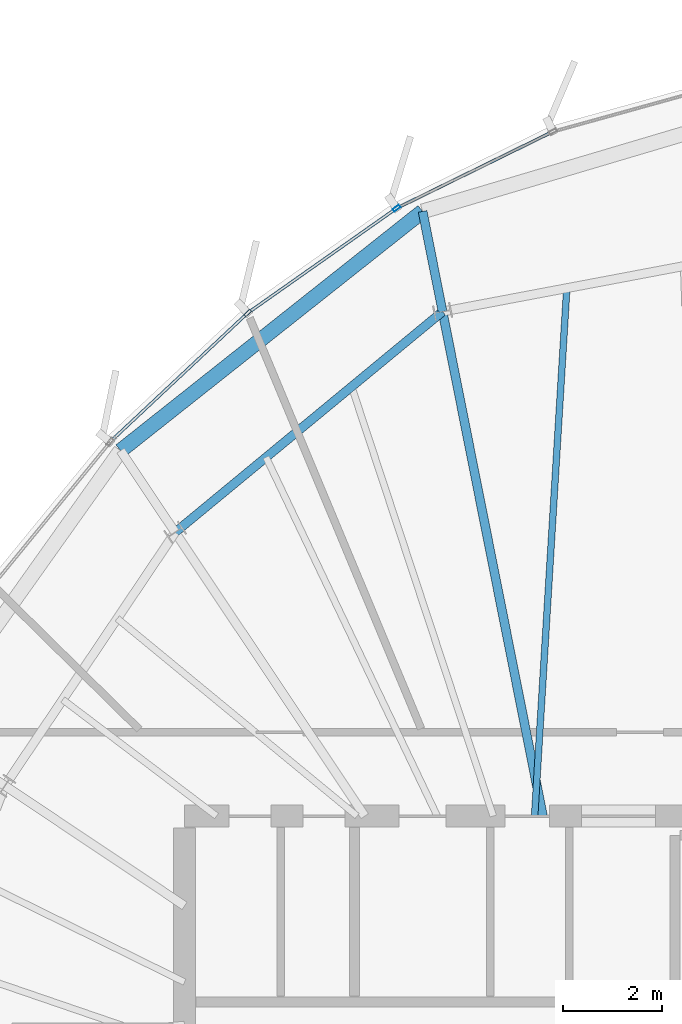
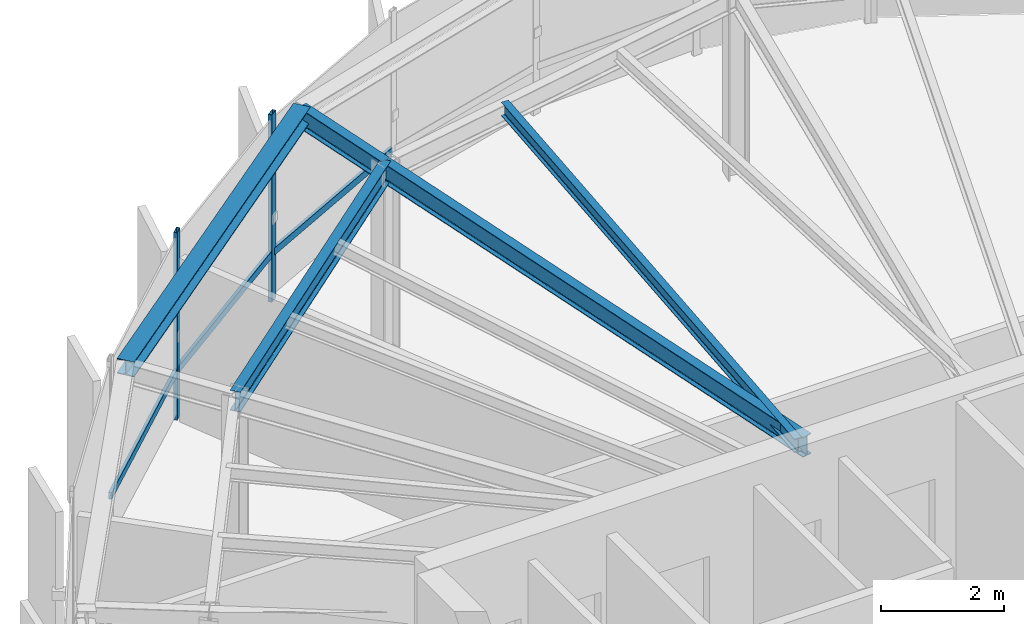
# One storey, part 15 of 26: 5 beams, 5 members, 1 element without a shape of its own.
"""IFC4 building model written with IfcOpenShell, lengths in metres."""

import ifcopenshell
import ifcopenshell.guid

model = None  # the IFC model being written
_history = None  # IfcOwnerHistory: only IFC2X3 demands one
_inside = {}  # id of a spatial element -> (the spatial element, [elements in it])
_under = {}  # id of a project, library or spatial element -> (it, [spatial elements below it])
_declared = {}  # id of a project -> (the project, [libraries it declares])
_typed = {}  # id of a type object -> (the type object, [elements of that type])
_made_of = {}  # id of a material, layer set ... -> (it, [elements and type objects made of it])


def new_model(schema):
    """Start an empty IFC model of exactly this schema.

    Asked for "IFC4X3", IfcOpenShell would pick the latest addendum, in which some entities
    have other attributes; the version numbers below select the first issue.
    IFC2X3 requires an IfcOwnerHistory on every rooted entity: one is made here for all.
    """
    global model, _history
    if schema == "IFC4X3":
        model = ifcopenshell.file(schema_version=(4, 3, 0, 0))
    else:
        model = ifcopenshell.file(schema=schema)
    _inside.clear()
    _under.clear()
    _declared.clear()
    _typed.clear()
    _made_of.clear()
    _history = None
    if model.schema == "IFC2X3":
        org = make("IfcOrganization", Name="unknown")
        user = make(
            "IfcPersonAndOrganization",
            ThePerson=make("IfcPerson", FamilyName="unknown"),
            TheOrganization=org,
        )
        app = make(
            "IfcApplication",
            ApplicationDeveloper=org,
            Version="unknown",
            ApplicationFullName="unknown",
            ApplicationIdentifier="unknown",
        )
        _history = make(
            "IfcOwnerHistory",
            OwningUser=user,
            OwningApplication=app,
            ChangeAction="ADDED",
            CreationDate=0,
        )
    return model


def make(cls, **values):
    """One entity of the class cls with the attributes given. An attribute that is None is left unset."""
    return model.create_entity(
        cls, **{name: value for name, value in values.items() if value is not None}
    )


def rooted(cls, **values):
    """An entity with a GlobalId (a new one), such as an element, a storey or a relation."""
    return make(cls, GlobalId=ifcopenshell.guid.new(), OwnerHistory=_history, **values)


def si_unit(unit_type, name, prefix=None):
    """IfcSIUnit, for example si_unit("LENGTHUNIT", "METRE", prefix="MILLI")."""
    return make("IfcSIUnit", UnitType=unit_type, Prefix=prefix, Name=name)


def assignment(units):
    """IfcUnitAssignment: the units of a project."""
    return None if units is None else make("IfcUnitAssignment", Units=units)


def point(xyz):
    """IfcCartesianPoint."""
    return None if xyz is None else make("IfcCartesianPoint", Coordinates=xyz)


def direction(xyz):
    """IfcDirection."""
    return None if xyz is None else make("IfcDirection", DirectionRatios=xyz)


def frame(location, z_axis=None, x_axis=None):
    """IfcAxis2Placement3D, a coordinate frame: its origin and axes. An axis left out is left unset."""
    return make(
        "IfcAxis2Placement3D",
        Location=point(location),
        Axis=direction(z_axis),
        RefDirection=direction(x_axis),
    )


def frame_2d(location, x_axis=None):
    """IfcAxis2Placement2D, a coordinate frame in the plane: its origin and x axis."""
    return make(
        "IfcAxis2Placement2D", Location=point(location), RefDirection=direction(x_axis)
    )


def origin():
    """The frame at (0, 0, 0) with its axes left unset."""
    return frame((0.0, 0.0, 0.0))


def origin_2d():
    """The frame at (0, 0) in the plane with its x axis left unset."""
    return frame_2d((0.0, 0.0))


def place(relative_to, where):
    """IfcLocalPlacement: puts the frame where relative to a parent placement (None: the world)."""
    return make(
        "IfcLocalPlacement", PlacementRelTo=relative_to, RelativePlacement=where
    )


def context(
    kind, dimensions, precision=None, world=None, true_north=None, identifier=None
):
    """IfcGeometricRepresentationContext, for example the 3D "Model" context."""
    return make(
        "IfcGeometricRepresentationContext",
        ContextIdentifier=identifier,
        ContextType=kind,
        CoordinateSpaceDimension=dimensions,
        Precision=precision,
        WorldCoordinateSystem=world,
        TrueNorth=true_north,
    )


def subcontext(parent, identifier, kind, view, scale=None):
    """IfcGeometricRepresentationSubContext, for example "Body" below "Model"."""
    return make(
        "IfcGeometricRepresentationSubContext",
        ContextIdentifier=identifier,
        ContextType=kind,
        ParentContext=parent,
        TargetScale=scale,
        TargetView=view,
    )


def project(units=None, contexts=None):
    """IfcProject with its units and contexts."""
    return rooted(
        "IfcProject",
        Name="project",
        RepresentationContexts=contexts,
        UnitsInContext=assignment(units),
    )


def spatial(cls, under=None, at=None, **own):
    """A site, building, storey or space (cls), placed at a placement, below another one or the project."""
    s = rooted(cls, ObjectPlacement=at, **own)
    if under is not None:
        _under.setdefault(under.id(), (under, []))[1].append(s)
    return s


def profile(cls, at=None, kind="AREA", **sizes):
    """A parametric profile (cls). Its sizes go by their IFC names, for example OverallWidth=200.0."""
    return make(cls, ProfileType=kind, Position=at, **sizes)


def hollow_rectangle(**sizes):
    """IfcRectangleHollowProfileDef."""
    return profile("IfcRectangleHollowProfileDef", **sizes)


def i_section(**sizes):
    """IfcIShapeProfileDef."""
    return profile("IfcIShapeProfileDef", **sizes)


def extrude(swept, where, along, depth):
    """IfcExtrudedAreaSolid: the profile swept, set in the frame where, extruded along a direction by depth."""
    return make(
        "IfcExtrudedAreaSolid",
        SweptArea=swept,
        Position=where,
        ExtrudedDirection=direction(along),
        Depth=depth,
    )


def shape(context_of_items, identifier, shape_type, items):
    """IfcShapeRepresentation: the items that make up one representation, for example the "Body"."""
    return make(
        "IfcShapeRepresentation",
        ContextOfItems=context_of_items,
        RepresentationIdentifier=identifier,
        RepresentationType=shape_type,
        Items=items,
    )


def source(mapping_origin, context_of_items, identifier, shape_type, items):
    """IfcRepresentationMap: a shape defined once, which mapped items show again and again."""
    return make(
        "IfcRepresentationMap",
        MappingOrigin=mapping_origin,
        MappedRepresentation=shape(context_of_items, identifier, shape_type, items),
    )


def transform(
    local_origin,
    x_axis=None,
    y_axis=None,
    z_axis=None,
    scale=None,
    scale2=None,
    scale3=None,
    uniform=True,
):
    """IfcCartesianTransformationOperator3D, or its non-uniform kind. x_axis, y_axis, z_axis: its Axis1, 2, 3."""
    if uniform:
        return make(
            "IfcCartesianTransformationOperator3D",
            Axis1=direction(x_axis),
            Axis2=direction(y_axis),
            LocalOrigin=point(local_origin),
            Scale=scale,
            Axis3=direction(z_axis),
        )
    return make(
        "IfcCartesianTransformationOperator3DnonUniform",
        Axis1=direction(x_axis),
        Axis2=direction(y_axis),
        LocalOrigin=point(local_origin),
        Scale=scale,
        Axis3=direction(z_axis),
        Scale2=scale2,
        Scale3=scale3,
    )


def mapped(mapping_source, mapping_target):
    """IfcMappedItem: shows the shape of a source again, moved by a transform."""
    return make(
        "IfcMappedItem", MappingSource=mapping_source, MappingTarget=mapping_target
    )


def material(Name=None, Category=None):
    """IfcMaterial."""
    return make("IfcMaterial", Name=Name, Category=Category)


def layer(
    of_material, thickness, ventilated=None, Name=None, Category=None, Priority=None
):
    """IfcMaterialLayer: one layer of a wall or slab, of a material (None: an air gap)."""
    return make(
        "IfcMaterialLayer",
        Material=of_material,
        LayerThickness=thickness,
        IsVentilated=ventilated,
        Name=Name,
        Category=Category,
        Priority=Priority,
    )


def layer_set(layers, Name=None):
    """IfcMaterialLayerSet."""
    return make("IfcMaterialLayerSet", MaterialLayers=layers, LayerSetName=Name)


def material_profile(
    of_material, cross_section, Name=None, Category=None, Priority=None
):
    """IfcMaterialProfile: a cross section and its material."""
    return make(
        "IfcMaterialProfile",
        Name=Name,
        Material=of_material,
        Profile=cross_section,
        Priority=Priority,
        Category=Category,
    )


def profile_set(profiles, Name=None, composite=None):
    """IfcMaterialProfileSet."""
    return make(
        "IfcMaterialProfileSet",
        Name=Name,
        MaterialProfiles=profiles,
        CompositeProfile=composite,
    )


def made_of(thing, what):
    """Note that an element or type object is made of a material, layer set ...; save() writes the relation."""
    if what is not None:
        _made_of.setdefault(what.id(), (what, []))[1].append(thing)
    return thing


def type_object(cls, material=None, **own):
    """A type object (cls), such as IfcWallType, which elements share."""
    return made_of(rooted(cls, **own), material)


def element(
    cls,
    number,
    at=None,
    inside=None,
    cuts=None,
    type_object=None,
    material=None,
    context=None,
    identifier="Body",
    shape_type=None,
    held_by="IfcProductDefinitionShape",
    body=None,
    shapes=None,
    **own,
):
    """One element of the class cls, such as IfcWall. Its Tag is "e" and its number.

    at: its placement. inside: the storey or other place that contains it. cuts: it is an
    opening in that element (IfcRelVoidsElement). A single representation is given by context,
    identifier, shape_type and body (its items); several are given by shapes. held_by: the class
    of the entity that holds the representations. save() writes the other relations.
    """
    e = rooted(cls, Tag="e%d" % number, ObjectPlacement=at, **own)
    if body is not None:
        shapes = [shape(context, identifier, shape_type, body)]
    if shapes is not None:
        e.Representation = make(held_by, Representations=shapes)
    if inside is not None:
        _inside.setdefault(inside.id(), (inside, []))[1].append(e)
    if cuts is not None:
        rooted(
            "IfcRelVoidsElement", RelatingBuildingElement=cuts, RelatedOpeningElement=e
        )
    if type_object is not None:
        _typed.setdefault(type_object.id(), (type_object, []))[1].append(e)
    return made_of(e, material)


def aggregate(whole, parts):
    """IfcRelAggregates: a whole, such as a stair, and the parts it consists of."""
    return rooted("IfcRelAggregates", RelatingObject=whole, RelatedObjects=parts)


def save(model, path):
    """Write the relations noted so far, then the file.

    IfcRelAggregates (storeys below a building ...), IfcRelContainedInSpatialStructure (elements
    in a storey), IfcRelDefinesByType, IfcRelAssociatesMaterial and IfcRelDeclares: one each for
    every whole, place, type object, material and project.
    """
    for whole, parts in _under.values():
        aggregate(whole, parts)
    for where, things in _inside.values():
        rooted(
            "IfcRelContainedInSpatialStructure",
            RelatedElements=things,
            RelatingStructure=where,
        )
    for kind, things in _typed.values():
        rooted("IfcRelDefinesByType", RelatedObjects=things, RelatingType=kind)
    for what, things in _made_of.values():
        rooted("IfcRelAssociatesMaterial", RelatedObjects=things, RelatingMaterial=what)
    for by, libraries in _declared.values():
        rooted("IfcRelDeclares", RelatingContext=by, RelatedDefinitions=libraries)
    model.write(path)


model = new_model("IFC4")

# Units and contexts
model_context = context("Model", 3, precision=1e-05, world=origin(), true_north=direction((0.0, 1.0)))
body_context = subcontext(model_context, "Body", "Model", "MODEL_VIEW")
ifc_project = project(units=[si_unit("LENGTHUNIT", "METRE"), si_unit("AREAUNIT", "SQUARE_METRE"), si_unit("VOLUMEUNIT", "CUBIC_METRE"), si_unit("PLANEANGLEUNIT", "RADIAN"), si_unit("MASSUNIT", "GRAM", prefix="KILO"), si_unit("THERMODYNAMICTEMPERATUREUNIT", "KELVIN")], contexts=[model_context])

# Site, building, storey
site_placement = place(None, origin())
site = spatial("IfcSite", under=ifc_project, at=site_placement, CompositionType="ELEMENT")
building_placement = place(site_placement, origin())
building = spatial("IfcBuilding", under=site, at=building_placement, Name="Kethvar Cultural Tower", CompositionType="ELEMENT")
storey_placement = place(building_placement, frame((0.0, 0.0, 316.300048828125)))
storey = spatial("IfcBuildingStorey", under=building, at=storey_placement, Name="L84", CompositionType="ELEMENT", Elevation=316.300048828125)

# Beams
ifc_material_1 = material(Name="Steel S355J2", Category="steel")
ifc_material_profile_1 = material_profile(ifc_material_1, i_section(OverallWidth=0.135009765625, OverallDepth=0.27001953125, WebThickness=0.006591796875, FlangeThickness=0.01025390625, FilletRadius=0.014892578125, at=origin_2d()), Name="Steel S355J2 — IPE270")
ifc_profile_set_1 = profile_set([ifc_material_profile_1], Name="Steel S355J2 — IPE270")
beam_type_1 = type_object("IfcBeamType", Name="BM-J270", PredefinedType="JOIST", material=ifc_profile_set_1)
shared_shape_1 = source(origin(), body_context, "Body", "SweptSolid", [
    extrude(i_section(OverallWidth=0.135009765625, OverallDepth=0.27001953125, WebThickness=0.006591796875, FlangeThickness=0.01025390625, FilletRadius=0.014892578125, at=origin_2d()), origin(), (0.0, 0.0, 1.0), 10.727783203125),
])
beam_1_placement = place(storey_placement, frame((45.10009765625, 35.5, 3.597900390625), z_axis=(0.060876395586, 0.998145312297, 0.0), x_axis=(-0.998145312297, 0.060876395586, 0.0)))
element("IfcBeam", 1, at=beam_1_placement, inside=storey, type_object=beam_type_1, Name="L84 Composite Floor Joist J-04B", PredefinedType="JOIST", context=body_context, shape_type="MappedRepresentation", body=[
    mapped(shared_shape_1, transform((0.0, 0.0, 0.0), scale=1.0)),
])
ifc_material_profile_2 = material_profile(ifc_material_1, i_section(OverallWidth=0.179931640625, OverallDepth=0.39990234375, WebThickness=0.008544921875, FlangeThickness=0.013427734375, FilletRadius=0.02099609375, at=origin_2d()), Name="Steel S355J2 — IPE400")
ifc_profile_set_2 = profile_set([ifc_material_profile_2], Name="Steel S355J2 — IPE400")
beam_type_2 = type_object("IfcBeamType", Name="BM-IPE400", PredefinedType="BEAM", material=ifc_profile_set_2)
shared_shape_2 = source(origin(), body_context, "Body", "SweptSolid", [
    extrude(i_section(OverallWidth=0.179931640625, OverallDepth=0.39990234375, WebThickness=0.008544921875, FlangeThickness=0.013427734375, FilletRadius=0.02099609375, at=origin_2d()), origin(), (0.0, 0.0, 1.0), 10.432861328125),
])
beam_2_placement = place(storey_placement, frame((45.268310546875, 35.5, 3.532958984375), z_axis=(-0.195094483249, 0.980784452673, 0.0), x_axis=(-0.980784452673, -0.195094483249, 0.0)))
element("IfcBeam", 2, at=beam_2_placement, inside=storey, type_object=beam_type_2, Name="L84 Primary Radial Beam RB-05", PredefinedType="BEAM", context=body_context, shape_type="MappedRepresentation", body=[
    mapped(shared_shape_2, transform((0.0, 0.0, 0.0), scale=1.0)),
])
shared_shape_3 = source(origin(), body_context, "Body", "SweptSolid", [
    extrude(i_section(OverallWidth=0.179931640625, OverallDepth=0.39990234375, WebThickness=0.008544921875, FlangeThickness=0.013427734375, FilletRadius=0.02099609375, at=origin_2d()), origin(), (0.0, 0.0, 1.0), 7.03271484375),
])
beam_3_placement = place(storey_placement, frame((43.23291015625, 45.732421875, 3.532958984375), z_axis=(-0.771161072103, -0.636640087391, 0.0), x_axis=(0.636640087391, -0.771161072103, 0.0)))
element("IfcBeam", 3, at=beam_3_placement, inside=storey, type_object=beam_type_2, Name="L84 Column Ring Tie Beam CR-05", PredefinedType="BEAM", context=body_context, shape_type="MappedRepresentation", body=[
    mapped(shared_shape_3, transform((0.0, 0.0, 0.0), scale=1.0)),
])
shared_shape_4 = source(origin(), body_context, "Body", "SweptSolid", [
    extrude(i_section(OverallWidth=0.179931640625, OverallDepth=0.39990234375, WebThickness=0.008544921875, FlangeThickness=0.013427734375, FilletRadius=0.02099609375, at=origin_2d()), origin(), (0.0, 0.0, 1.0), 2.07275390625),
])
beam_4_placement = place(storey_placement, frame((43.23291015625, 45.732421875, 3.532958984375), z_axis=(-0.195051427273, 0.980793016247, 0.0), x_axis=(-0.980793016247, -0.195051427273, 0.0)))
element("IfcBeam", 4, at=beam_4_placement, inside=storey, type_object=beam_type_2, Name="L84 Perimeter Cantilever Beam RC-05", PredefinedType="BEAM", context=body_context, shape_type="MappedRepresentation", body=[
    mapped(shared_shape_4, transform((0.0, 0.0, 0.0), scale=1.0)),
])
ifc_material_profile_3 = material_profile(ifc_material_1, i_section(OverallWidth=0.300048828125, OverallDepth=0.300048828125, WebThickness=0.010986328125, FlangeThickness=0.01904296875, FilletRadius=0.027099609375, at=origin_2d()), Name="Steel S355J2 — HEB300")
ifc_profile_set_3 = profile_set([ifc_material_profile_3], Name="Steel S355J2 — HEB300")
beam_type_3 = type_object("IfcBeamType", Name="BM-SP300", PredefinedType="SPANDREL", material=ifc_profile_set_3)
shared_shape_5 = source(origin(), body_context, "Body", "SweptSolid", [
    extrude(i_section(OverallWidth=0.300048828125, OverallDepth=0.300048828125, WebThickness=0.010986328125, FlangeThickness=0.01904296875, FilletRadius=0.027099609375, at=origin_2d()), origin(), (0.0, 0.0, 1.0), 7.8154296875),
])
beam_5_placement = place(storey_placement, frame((42.82861328125, 47.765380859375, 3.5830078125), z_axis=(-0.783852591582, -0.620946949965, 0.0), x_axis=(0.620946949965, -0.783852591582, 0.0)))
element("IfcBeam", 5, at=beam_5_placement, inside=storey, type_object=beam_type_3, Name="L84 Perimeter Spandrel Beam SP-05", PredefinedType="SPANDREL", context=body_context, shape_type="MappedRepresentation", body=[
    mapped(shared_shape_5, transform((0.0, 0.0, 0.0), scale=1.0)),
])

# Curtain wall, members
ifc_material_2 = material(Name="Aluminium 6063-T6", Category="aluminium")
ifc_layer = layer(ifc_material_2, 0.179931640625, Name="Aluminium 6063-T6", Category="aluminium")
ifc_layer_set = layer_set([ifc_layer], Name="Aluminium 6063-T6 (180 mm)")
curtain_wall_type = type_object("IfcCurtainWallType", Name="CW-SYS-06-CROWN", PredefinedType="NOTDEFINED", material=ifc_layer_set)
curtain_wall_placement = place(storey_placement, origin())
curtain_wall = element("IfcCurtainWall", 6, at=curtain_wall_placement, inside=storey, type_object=curtain_wall_type, Name="L84 Curtain Wall Run 01", PredefinedType="NOTDEFINED")
ifc_material_profile_4 = material_profile(ifc_material_2, hollow_rectangle(XDim=0.06494140625, YDim=0.159912109375, WallThickness=0.0048828125, at=origin_2d()), Name="Aluminium 6063-T6 — RHS160x65x5")
ifc_profile_set_4 = profile_set([ifc_material_profile_4], Name="Aluminium 6063-T6 — RHS160x65x5")
member_type_1 = type_object("IfcMemberType", Name="CW-SYS-06-CROWN-MUL", PredefinedType="MULLION", material=ifc_profile_set_4)
shared_shape_6 = source(origin(), body_context, "Body", "SweptSolid", [
    extrude(hollow_rectangle(XDim=0.06494140625, YDim=0.159912109375, WallThickness=0.0048828125, at=origin_2d()), origin(), (0.0, 0.0, 1.0), 3.73486328125),
])
member_1_placement = place(storey_placement, frame((42.30224609375, 47.830078125, 0.0), z_axis=(0.0, 0.0, 1.0), x_axis=(0.575633376309, -0.817707903887, 0.0)))
member_1 = element("IfcMember", 7, at=member_1_placement, type_object=member_type_1, Name="CW-L84-R01 Mullion 5", PredefinedType="MULLION", context=body_context, shape_type="MappedRepresentation", body=[
    mapped(shared_shape_6, transform((0.0, 0.0, 0.0), scale=1.0)),
])
member_2_placement = place(storey_placement, frame((39.28076171875, 45.70458984375, 0.0), z_axis=(0.0, 0.0, 1.0), x_axis=(0.683630516679, -0.729828278888, 0.0)))
member_2 = element("IfcMember", 8, at=member_2_placement, type_object=member_type_1, Name="CW-L84-R01 Mullion 6", PredefinedType="MULLION", context=body_context, shape_type="MappedRepresentation", body=[
    mapped(shared_shape_6, transform((0.0, 0.0, 0.0), scale=1.0)),
])
ifc_material_profile_5 = material_profile(ifc_material_2, hollow_rectangle(XDim=0.06005859375, YDim=0.139892578125, WallThickness=0.0048828125, at=origin_2d()), Name="Aluminium 6063-T6 — RHS140x60x5")
ifc_profile_set_5 = profile_set([ifc_material_profile_5], Name="Aluminium 6063-T6 — RHS140x60x5")
member_type_2 = type_object("IfcMemberType", Name="CW-SYS-06-CROWN-TRN", PredefinedType="USERDEFINED", material=ifc_profile_set_5)
shared_shape_7 = source(origin(), body_context, "Body", "SweptSolid", [
    extrude(hollow_rectangle(XDim=0.06005859375, YDim=0.139892578125, WallThickness=0.0048828125, at=origin_2d()), origin(), (0.0, 0.0, 1.0), 3.45703125),
])
member_3_placement = place(storey_placement, frame((45.431396484375, 49.364013671875, 0.949951171875), z_axis=(-0.89773566251, -0.440534539234, 0.0), x_axis=(0.440534539234, -0.89773566251, 0.0)))
member_3 = element("IfcMember", 9, at=member_3_placement, type_object=member_type_2, Name="CW-L84-R01 Transom 4", ObjectType="TRANSOM", PredefinedType="USERDEFINED", context=body_context, shape_type="MappedRepresentation", body=[
    mapped(shared_shape_7, transform((0.0, 0.0, 0.0), scale=1.0)),
])
shared_shape_8 = source(origin(), body_context, "Body", "SweptSolid", [
    extrude(hollow_rectangle(XDim=0.06005859375, YDim=0.139892578125, WallThickness=0.0048828125, at=origin_2d()), origin(), (0.0, 0.0, 1.0), 3.6171875),
])
member_4_placement = place(storey_placement, frame((42.263916015625, 47.802978515625, 0.949951171875), z_axis=(-0.817722875742, -0.575612107662, 0.0), x_axis=(0.575612107662, -0.817722875742, 0.0)))
member_4 = element("IfcMember", 10, at=member_4_placement, type_object=member_type_2, Name="CW-L84-R01 Transom 5", ObjectType="TRANSOM", PredefinedType="USERDEFINED", context=body_context, shape_type="MappedRepresentation", body=[
    mapped(shared_shape_8, transform((0.0, 0.0, 0.0), scale=1.0)),
])
shared_shape_9 = source(origin(), body_context, "Body", "SweptSolid", [
    extrude(hollow_rectangle(XDim=0.06005859375, YDim=0.139892578125, WallThickness=0.0048828125, at=origin_2d()), origin(), (0.0, 0.0, 1.0), 3.705078125),
])
member_5_placement = place(storey_placement, frame((39.24658203125, 45.672607421875, 0.949951171875), z_axis=(-0.729824819757, -0.68363420955, 0.0), x_axis=(0.68363420955, -0.729824819757, 0.0)))
member_5 = element("IfcMember", 11, at=member_5_placement, type_object=member_type_2, Name="CW-L84-R01 Transom 6", ObjectType="TRANSOM", PredefinedType="USERDEFINED", context=body_context, shape_type="MappedRepresentation", body=[
    mapped(shared_shape_9, transform((0.0, 0.0, 0.0), scale=1.0)),
])
aggregate(curtain_wall, [member_1, member_2, member_3, member_4, member_5])

save(model, "model.ifc")
